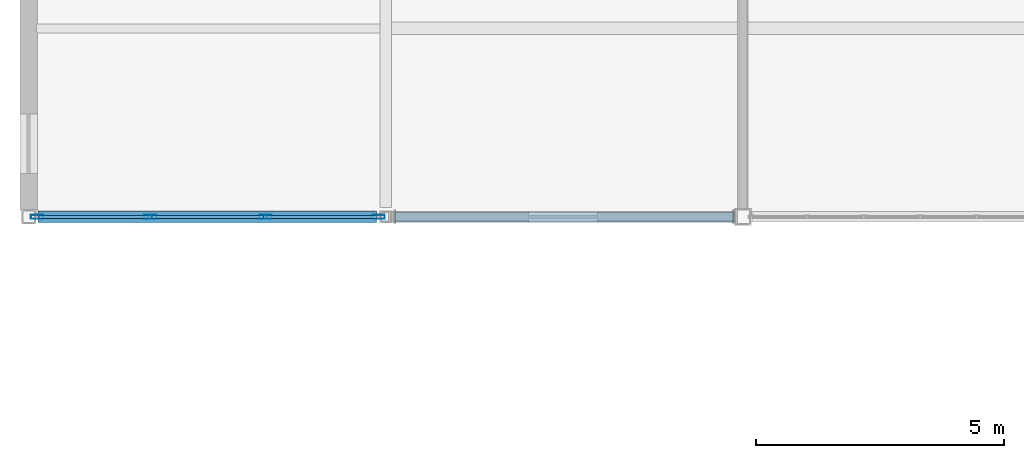
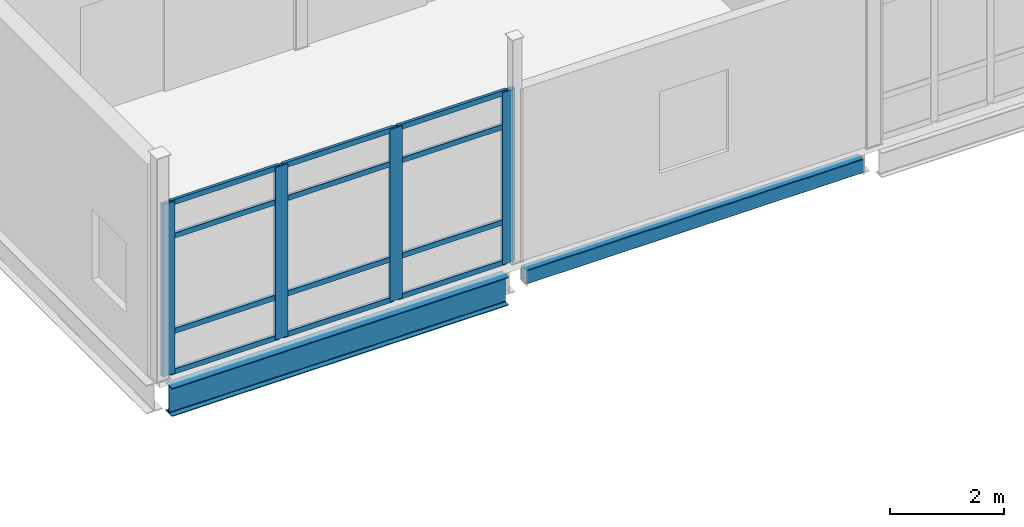
# One storey, part 28 of 186: 16 members, 2 beams, 1 element without a shape of its own.
"""IFC4 building model written with IfcOpenShell, lengths in metres."""

from ifc_helpers import new_model, si_unit, direction, frame, origin, origin_2d, place, context, subcontext, project, spatial, hollow_rectangle, i_section, extrude, material, layer, layer_set, material_profile, profile_set, type_object, element, aggregate, save


model = new_model("IFC4")

# Units and contexts
model_context = context("Model", 3, precision=1e-05, world=origin(), true_north=direction((0.0, 1.0)))
body_context = subcontext(model_context, "Body", "Model", "MODEL_VIEW")
ifc_project = project(units=[si_unit("LENGTHUNIT", "METRE"), si_unit("AREAUNIT", "SQUARE_METRE"), si_unit("VOLUMEUNIT", "CUBIC_METRE"), si_unit("PLANEANGLEUNIT", "RADIAN"), si_unit("MASSUNIT", "GRAM", prefix="KILO")], contexts=[model_context])

# Site, building, storey
site_placement = place(None, origin())
site = spatial("IfcSite", under=ifc_project, at=site_placement, CompositionType="ELEMENT")
building_placement = place(site_placement, origin())
building = spatial("IfcBuilding", under=site, at=building_placement, Name="Calvrana Isthmian Art Gallery", CompositionType="ELEMENT")
storey_placement = place(building_placement, frame((0.0, 0.0, 5.39990234375)))
storey = spatial("IfcBuildingStorey", under=building, at=storey_placement, Name="L01", CompositionType="ELEMENT", Elevation=5.39990234375)

# Beams
ifc_material_1 = material(Name="Steel ASTM A992 Gr 50", Category="steel")
ifc_material_profile_1 = material_profile(ifc_material_1, i_section(OverallWidth=0.22802734375, OverallDepth=0.60693359375, WebThickness=0.01123046875, FlangeThickness=0.017333984375, FilletRadius=0.02197265625, at=origin_2d()), Name="W24X76")
ifc_profile_set_1 = profile_set([ifc_material_profile_1], Name="Steel ASTM A992 Gr 50")
beam_type_1 = type_object("IfcBeamType", Name="BM-G-W24X76", PredefinedType="BEAM", material=ifc_profile_set_1)
beam_1_placement = place(storey_placement, frame((0.1865234375, 46.800048828125, -0.54833984375), z_axis=(1.0, 0.0, 0.0), x_axis=(0.0, 1.0, 0.0)))
element("IfcBeam", 1, at=beam_1_placement, inside=storey, type_object=beam_type_1, Name="Girder X L01 01-02/G", PredefinedType="BEAM", context=body_context, shape_type="SweptSolid", body=[
    extrude(i_section(OverallWidth=0.22802734375, OverallDepth=0.60693359375, WebThickness=0.01123046875, FlangeThickness=0.017333984375, FilletRadius=0.02197265625, at=origin_2d()), origin(), (0.0, 0.0, 1.0), 6.826904296875),
])
ifc_material_2 = material(Name="Steel ASTM A500 Gr C", Category="steel")
ifc_material_profile_2 = material_profile(ifc_material_2, hollow_rectangle(XDim=0.203125, YDim=0.3046875, WallThickness=0.0126953125, OuterFilletRadius=0.02490234375, at=origin_2d()), Name="HSS305X203X12.7")
ifc_profile_set_2 = profile_set([ifc_material_profile_2], Name="Steel ASTM A500 Gr C")
beam_type_2 = type_object("IfcBeamType", Name="BM-SP-HSS305", PredefinedType="SPANDREL", material=ifc_profile_set_2)
beam_2_placement = place(storey_placement, frame((7.386474609375, 46.800048828125, -0.397216796875), z_axis=(1.0, 0.0, 0.0), x_axis=(0.0, 1.0, 0.0)))
element("IfcBeam", 2, at=beam_2_placement, inside=storey, type_object=beam_type_2, Name="Girder X L01 02-03/G", PredefinedType="SPANDREL", context=body_context, shape_type="SweptSolid", body=[
    extrude(hollow_rectangle(XDim=0.203125, YDim=0.3046875, WallThickness=0.0126953125, OuterFilletRadius=0.02490234375, at=origin_2d()), origin(), (0.0, 0.0, 1.0), 6.828125),
])

# Curtain wall, members
ifc_material_3 = material(Name="Anodized bronze aluminium 6063-T6", Category="aluminium")
ifc_layer = layer(ifc_material_3, 0.179931640625, Name="Anodized bronze aluminium 6063-T6")
ifc_layer_set = layer_set([ifc_layer], Name="Anodized bronze aluminium 6063-T6")
curtain_wall_type = type_object("IfcCurtainWallType", Name="CW-STICK-070X37", PredefinedType="NOTDEFINED", material=ifc_layer_set)
curtain_wall_placement = place(storey_placement, origin())
curtain_wall = element("IfcCurtainWall", 3, at=curtain_wall_placement, inside=storey, type_object=curtain_wall_type, Name="Curtain wall CW-095", PredefinedType="NOTDEFINED")
ifc_material_profile_3 = material_profile(ifc_material_3, hollow_rectangle(XDim=0.080078125, YDim=0.25, WallThickness=0.005615234375, at=origin_2d()), Name="CWM80X250")
ifc_profile_set_3 = profile_set([ifc_material_profile_3], Name="Anodized bronze aluminium 6063-T6")
member_type_1 = type_object("IfcMemberType", Name="CWM-CWM80X250", PredefinedType="MULLION", material=ifc_profile_set_3)
member_1_placement = place(storey_placement, frame((7.058349609375, 46.800048828125, 0.0), z_axis=(0.0, 0.0, 1.0), x_axis=(0.0, -1.0, 0.0)))
member_1 = element("IfcMember", 4, at=member_1_placement, type_object=member_type_1, Name="CW-095 mullion 1", PredefinedType="MULLION", context=body_context, shape_type="SweptSolid", body=[
    extrude(hollow_rectangle(XDim=0.080078125, YDim=0.25, WallThickness=0.005615234375, at=origin_2d()), origin(), (0.0, 0.0, 1.0), 3.695068359375),
])
member_2_placement = place(storey_placement, frame((4.774658203125, 46.800048828125, 0.0), z_axis=(0.0, 0.0, 1.0), x_axis=(0.0, -1.0, 0.0)))
member_2 = element("IfcMember", 5, at=member_2_placement, type_object=member_type_1, Name="CW-095 mullion 2", PredefinedType="MULLION", context=body_context, shape_type="SweptSolid", body=[
    extrude(hollow_rectangle(XDim=0.080078125, YDim=0.25, WallThickness=0.005615234375, at=origin_2d()), origin(), (0.0, 0.0, 1.0), 3.695068359375),
])
member_3_placement = place(storey_placement, frame((2.45068359375, 46.800048828125, 0.0), z_axis=(0.0, 0.0, 1.0), x_axis=(0.0, -1.0, 0.0)))
member_3 = element("IfcMember", 6, at=member_3_placement, type_object=member_type_1, Name="CW-095 mullion 3", PredefinedType="MULLION", context=body_context, shape_type="SweptSolid", body=[
    extrude(hollow_rectangle(XDim=0.080078125, YDim=0.25, WallThickness=0.005615234375, at=origin_2d()), origin(), (0.0, 0.0, 1.0), 3.695068359375),
])
member_4_placement = place(storey_placement, frame((0.1669921875, 46.800048828125, 0.0), z_axis=(0.0, 0.0, 1.0), x_axis=(0.0, -1.0, 0.0)))
member_4 = element("IfcMember", 7, at=member_4_placement, type_object=member_type_1, Name="CW-095 mullion 4", PredefinedType="MULLION", context=body_context, shape_type="SweptSolid", body=[
    extrude(hollow_rectangle(XDim=0.080078125, YDim=0.25, WallThickness=0.005615234375, at=origin_2d()), origin(), (0.0, 0.0, 1.0), 3.695068359375),
])
ifc_material_profile_4 = material_profile(ifc_material_3, hollow_rectangle(XDim=0.06005859375, YDim=0.110107421875, WallThickness=0.00341796875, at=origin_2d()), Name="CWT60X110")
ifc_profile_set_4 = profile_set([ifc_material_profile_4], Name="Anodized bronze aluminium 6063-T6")
member_type_2 = type_object("IfcMemberType", Name="CWT-CWT60X110", PredefinedType="USERDEFINED", material=ifc_profile_set_4)
member_5_placement = place(storey_placement, frame((7.018310546875, 46.800048828125, 0.030029296875), z_axis=(-1.0, 0.0, 0.0), x_axis=(0.0, -1.0, 0.0)))
member_5 = element("IfcMember", 8, at=member_5_placement, type_object=member_type_2, Name="CW-095 transom 1.1", ObjectType="TRANSOM", PredefinedType="USERDEFINED", context=body_context, shape_type="SweptSolid", body=[
    extrude(hollow_rectangle(XDim=0.06005859375, YDim=0.110107421875, WallThickness=0.00341796875, at=origin_2d()), origin(), (0.0, 0.0, 1.0), 2.20361328125),
])
member_6_placement = place(storey_placement, frame((7.018310546875, 46.800048828125, 0.900146484375), z_axis=(-1.0, 0.0, 0.0), x_axis=(0.0, -1.0, 0.0)))
member_6 = element("IfcMember", 9, at=member_6_placement, type_object=member_type_2, Name="CW-095 transom 1.2", ObjectType="TRANSOM", PredefinedType="USERDEFINED", context=body_context, shape_type="SweptSolid", body=[
    extrude(hollow_rectangle(XDim=0.06005859375, YDim=0.110107421875, WallThickness=0.00341796875, at=origin_2d()), origin(), (0.0, 0.0, 1.0), 2.20361328125),
])
member_7_placement = place(storey_placement, frame((7.018310546875, 46.800048828125, 2.945068359375), z_axis=(-1.0, 0.0, 0.0), x_axis=(0.0, -1.0, 0.0)))
member_7 = element("IfcMember", 10, at=member_7_placement, type_object=member_type_2, Name="CW-095 transom 1.3", ObjectType="TRANSOM", PredefinedType="USERDEFINED", context=body_context, shape_type="SweptSolid", body=[
    extrude(hollow_rectangle(XDim=0.06005859375, YDim=0.110107421875, WallThickness=0.00341796875, at=origin_2d()), origin(), (0.0, 0.0, 1.0), 2.20361328125),
])
member_8_placement = place(storey_placement, frame((7.018310546875, 46.800048828125, 3.6650390625), z_axis=(-1.0, 0.0, 0.0), x_axis=(0.0, -1.0, 0.0)))
member_8 = element("IfcMember", 11, at=member_8_placement, type_object=member_type_2, Name="CW-095 transom 1.4", ObjectType="TRANSOM", PredefinedType="USERDEFINED", context=body_context, shape_type="SweptSolid", body=[
    extrude(hollow_rectangle(XDim=0.06005859375, YDim=0.110107421875, WallThickness=0.00341796875, at=origin_2d()), origin(), (0.0, 0.0, 1.0), 2.20361328125),
])
member_9_placement = place(storey_placement, frame((4.734619140625, 46.800048828125, 0.030029296875), z_axis=(-1.0, 0.0, 0.0), x_axis=(0.0, -1.0, 0.0)))
member_9 = element("IfcMember", 12, at=member_9_placement, type_object=member_type_2, Name="CW-095 transom 2.1", ObjectType="TRANSOM", PredefinedType="USERDEFINED", context=body_context, shape_type="SweptSolid", body=[
    extrude(hollow_rectangle(XDim=0.06005859375, YDim=0.110107421875, WallThickness=0.00341796875, at=origin_2d()), origin(), (0.0, 0.0, 1.0), 2.243896484375),
])
member_10_placement = place(storey_placement, frame((4.734619140625, 46.800048828125, 0.900146484375), z_axis=(-1.0, 0.0, 0.0), x_axis=(0.0, -1.0, 0.0)))
member_10 = element("IfcMember", 13, at=member_10_placement, type_object=member_type_2, Name="CW-095 transom 2.2", ObjectType="TRANSOM", PredefinedType="USERDEFINED", context=body_context, shape_type="SweptSolid", body=[
    extrude(hollow_rectangle(XDim=0.06005859375, YDim=0.110107421875, WallThickness=0.00341796875, at=origin_2d()), origin(), (0.0, 0.0, 1.0), 2.243896484375),
])
member_11_placement = place(storey_placement, frame((4.734619140625, 46.800048828125, 2.945068359375), z_axis=(-1.0, 0.0, 0.0), x_axis=(0.0, -1.0, 0.0)))
member_11 = element("IfcMember", 14, at=member_11_placement, type_object=member_type_2, Name="CW-095 transom 2.3", ObjectType="TRANSOM", PredefinedType="USERDEFINED", context=body_context, shape_type="SweptSolid", body=[
    extrude(hollow_rectangle(XDim=0.06005859375, YDim=0.110107421875, WallThickness=0.00341796875, at=origin_2d()), origin(), (0.0, 0.0, 1.0), 2.243896484375),
])
member_12_placement = place(storey_placement, frame((4.734619140625, 46.800048828125, 3.6650390625), z_axis=(-1.0, 0.0, 0.0), x_axis=(0.0, -1.0, 0.0)))
member_12 = element("IfcMember", 15, at=member_12_placement, type_object=member_type_2, Name="CW-095 transom 2.4", ObjectType="TRANSOM", PredefinedType="USERDEFINED", context=body_context, shape_type="SweptSolid", body=[
    extrude(hollow_rectangle(XDim=0.06005859375, YDim=0.110107421875, WallThickness=0.00341796875, at=origin_2d()), origin(), (0.0, 0.0, 1.0), 2.243896484375),
])
member_13_placement = place(storey_placement, frame((2.410888671875, 46.800048828125, 0.030029296875), z_axis=(-1.0, 0.0, 0.0), x_axis=(0.0, -1.0, 0.0)))
member_13 = element("IfcMember", 16, at=member_13_placement, type_object=member_type_2, Name="CW-095 transom 3.1", ObjectType="TRANSOM", PredefinedType="USERDEFINED", context=body_context, shape_type="SweptSolid", body=[
    extrude(hollow_rectangle(XDim=0.06005859375, YDim=0.110107421875, WallThickness=0.00341796875, at=origin_2d()), origin(), (0.0, 0.0, 1.0), 2.203857421875),
])
member_14_placement = place(storey_placement, frame((2.410888671875, 46.800048828125, 0.900146484375), z_axis=(-1.0, 0.0, 0.0), x_axis=(0.0, -1.0, 0.0)))
member_14 = element("IfcMember", 17, at=member_14_placement, type_object=member_type_2, Name="CW-095 transom 3.2", ObjectType="TRANSOM", PredefinedType="USERDEFINED", context=body_context, shape_type="SweptSolid", body=[
    extrude(hollow_rectangle(XDim=0.06005859375, YDim=0.110107421875, WallThickness=0.00341796875, at=origin_2d()), origin(), (0.0, 0.0, 1.0), 2.203857421875),
])
member_15_placement = place(storey_placement, frame((2.410888671875, 46.800048828125, 2.945068359375), z_axis=(-1.0, 0.0, 0.0), x_axis=(0.0, -1.0, 0.0)))
member_15 = element("IfcMember", 18, at=member_15_placement, type_object=member_type_2, Name="CW-095 transom 3.3", ObjectType="TRANSOM", PredefinedType="USERDEFINED", context=body_context, shape_type="SweptSolid", body=[
    extrude(hollow_rectangle(XDim=0.06005859375, YDim=0.110107421875, WallThickness=0.00341796875, at=origin_2d()), origin(), (0.0, 0.0, 1.0), 2.203857421875),
])
member_16_placement = place(storey_placement, frame((2.410888671875, 46.800048828125, 3.6650390625), z_axis=(-1.0, 0.0, 0.0), x_axis=(0.0, -1.0, 0.0)))
member_16 = element("IfcMember", 19, at=member_16_placement, type_object=member_type_2, Name="CW-095 transom 3.4", ObjectType="TRANSOM", PredefinedType="USERDEFINED", context=body_context, shape_type="SweptSolid", body=[
    extrude(hollow_rectangle(XDim=0.06005859375, YDim=0.110107421875, WallThickness=0.00341796875, at=origin_2d()), origin(), (0.0, 0.0, 1.0), 2.203857421875),
])
aggregate(curtain_wall, [member_1, member_2, member_3, member_4, member_5, member_6, member_7, member_8, member_9, member_10, member_11, member_12, member_13, member_14, member_15, member_16])

save(model, "model.ifc")
